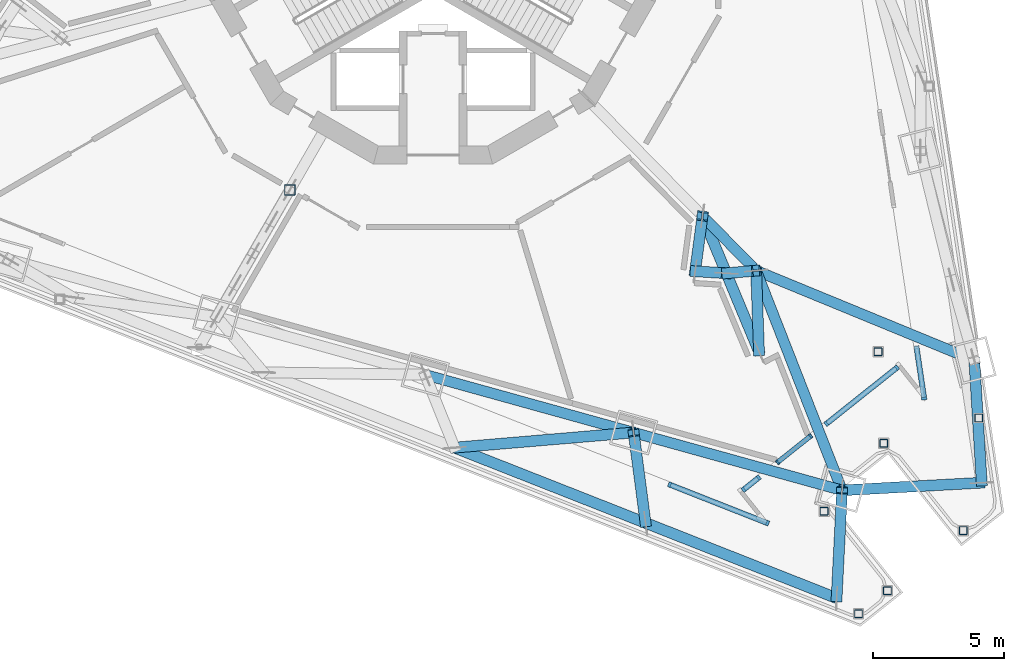
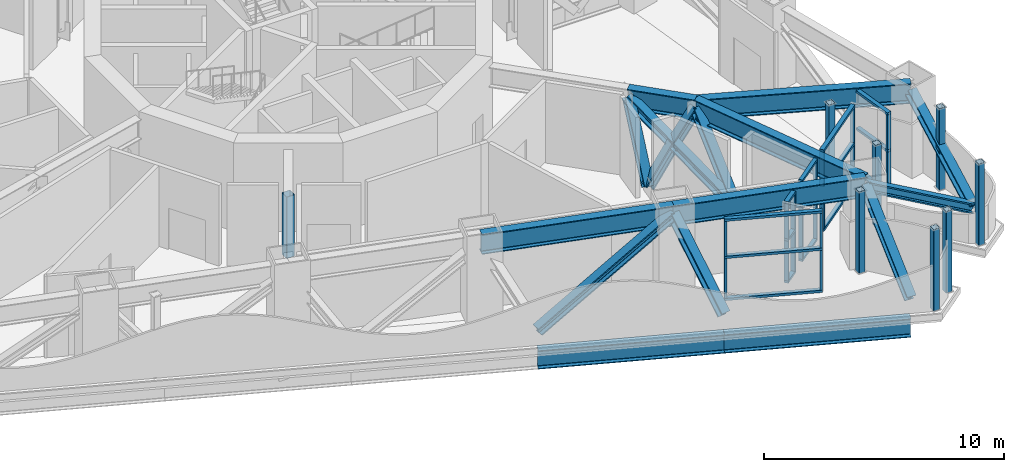
# One storey, part 3 of 27: 52 members, 3 beams, 5 elements without a shape of their own.
"""IFC4 building model written with IfcOpenShell, lengths in metres."""

from ifc_helpers import new_model, si_unit, direction, frame, origin, origin_2d, place, context, subcontext, project, spatial, rectangle, hollow_rectangle, i_section, extrude, material, layer, layer_set, material_profile, profile_set, type_object, element, aggregate, save


model = new_model("IFC4")

# Units and contexts
model_context = context("Model", 3, precision=1e-05, world=origin(), true_north=direction((0.0, 1.0)))
body_context = subcontext(model_context, "Body", "Model", "MODEL_VIEW")
ifc_project = project(units=[si_unit("LENGTHUNIT", "METRE"), si_unit("AREAUNIT", "SQUARE_METRE"), si_unit("VOLUMEUNIT", "CUBIC_METRE"), si_unit("PLANEANGLEUNIT", "RADIAN"), si_unit("MASSUNIT", "GRAM", prefix="KILO")], contexts=[model_context])

# Site, building, storey
site_placement = place(None, origin())
site = spatial("IfcSite", under=ifc_project, at=site_placement, CompositionType="ELEMENT")
building_placement = place(site_placement, origin())
building = spatial("IfcBuilding", under=site, at=building_placement, Name="Trine Commons Tower", CompositionType="ELEMENT")
storey_placement = place(building_placement, frame((0.0, 0.0, 230.39990234375)))
storey = spatial("IfcBuildingStorey", under=building, at=storey_placement, Name="L60", CompositionType="ELEMENT", Elevation=230.39990234375)

# Curtain wall, members
ifc_material_1 = material(Name="Plant louvre wall: anodised aluminium frame with anodised aluminium louvre blades", Category="aluminium")
ifc_layer_1 = layer(ifc_material_1, 0.199951171875)
ifc_layer_set_1 = layer_set([ifc_layer_1], Name="Plant louvre wall: anodised aluminium frame with anodised aluminium louvre blades")
curtain_wall_type_1 = type_object("IfcCurtainWallType", Name="Plant louvre wall curtain wall CW7", PredefinedType="NOTDEFINED", material=ifc_layer_set_1)
curtain_wall_1_placement = place(storey_placement, origin())
curtain_wall_1 = element("IfcCurtainWall", 1, at=curtain_wall_1_placement, inside=storey, type_object=curtain_wall_type_1, Name="Plant louvre wall L60 F2.2", PredefinedType="NOTDEFINED")
ifc_material_2 = material(Name="Anodised aluminium, bronze finish", Category="aluminium")
ifc_material_profile_1 = material_profile(ifc_material_2, rectangle(XDim=0.199951171875, YDim=0.10009765625, at=origin_2d()), Name="Mullion 100x200")
ifc_profile_set_1 = profile_set([ifc_material_profile_1], Name="Anodised aluminium, bronze finish")
member_type_1 = type_object("IfcMemberType", Name="Mullion 100x200, Anodised aluminium, bronze finish", PredefinedType="MULLION", material=ifc_profile_set_1)
member_1_placement = place(storey_placement, frame((98.77783203125, 45.037353515625, 0.1201171875), z_axis=(0.0, 0.0, 1.0), x_axis=(0.989015863362, 0.14780941113, 0.0)))
member_1 = element("IfcMember", 2, at=member_1_placement, type_object=member_type_1, Name="CW7 mullion 2.1", PredefinedType="MULLION", context=body_context, shape_type="SweptSolid", body=[
    extrude(rectangle(XDim=0.199951171875, YDim=0.10009765625, at=origin_2d()), origin(), (0.0, 0.0, 1.0), 2.02001953125),
])
member_2_placement = place(storey_placement, frame((98.77783203125, 45.037353515625, 2.260009765625), z_axis=(0.0, 0.0, 1.0), x_axis=(0.989015863362, 0.14780941113, 0.0)))
member_2 = element("IfcMember", 3, at=member_2_placement, type_object=member_type_1, Name="CW7 mullion 2.2", PredefinedType="MULLION", context=body_context, shape_type="SweptSolid", body=[
    extrude(rectangle(XDim=0.199951171875, YDim=0.10009765625, at=origin_2d()), origin(), (0.0, 0.0, 1.0), 1.77001953125),
])

curtain_wall_2_placement = place(storey_placement, origin())
curtain_wall_2 = element("IfcCurtainWall", 4, at=curtain_wall_2_placement, inside=storey, type_object=curtain_wall_type_1, Name="Plant louvre wall L60 P2.1", PredefinedType="NOTDEFINED")
member_3_placement = place(storey_placement, frame((97.73876953125, 46.223388671875, 0.1201171875), z_axis=(0.0, 0.0, 1.0), x_axis=(0.622514636638, -0.782608156852, 0.0)))
member_3 = element("IfcMember", 5, at=member_3_placement, type_object=member_type_1, Name="CW7 mullion 1.1", PredefinedType="MULLION", context=body_context, shape_type="SweptSolid", body=[
    extrude(rectangle(XDim=0.199951171875, YDim=0.10009765625, at=origin_2d()), origin(), (0.0, 0.0, 1.0), 2.02001953125),
])
member_4_placement = place(storey_placement, frame((97.73876953125, 46.223388671875, 2.260009765625), z_axis=(0.0, 0.0, 1.0), x_axis=(0.622514636638, -0.782608156852, 0.0)))
member_4 = element("IfcMember", 6, at=member_4_placement, type_object=member_type_1, Name="CW7 mullion 1.2", PredefinedType="MULLION", context=body_context, shape_type="SweptSolid", body=[
    extrude(rectangle(XDim=0.199951171875, YDim=0.10009765625, at=origin_2d()), origin(), (0.0, 0.0, 1.0), 1.77001953125),
])
member_5_placement = place(storey_placement, frame((95.035888671875, 44.0732421875, 0.1201171875), z_axis=(0.0, 0.0, 1.0), x_axis=(0.622514636638, -0.782608156852, 0.0)))
member_5 = element("IfcMember", 7, at=member_5_placement, type_object=member_type_1, Name="CW7 mullion 2.1", PredefinedType="MULLION", context=body_context, shape_type="SweptSolid", body=[
    extrude(rectangle(XDim=0.199951171875, YDim=0.10009765625, at=origin_2d()), origin(), (0.0, 0.0, 1.0), 2.02001953125),
])
member_6_placement = place(storey_placement, frame((95.035888671875, 44.0732421875, 2.260009765625), z_axis=(0.0, 0.0, 1.0), x_axis=(0.622514636638, -0.782608156852, 0.0)))
member_6 = element("IfcMember", 8, at=member_6_placement, type_object=member_type_1, Name="CW7 mullion 2.2", PredefinedType="MULLION", context=body_context, shape_type="SweptSolid", body=[
    extrude(rectangle(XDim=0.199951171875, YDim=0.10009765625, at=origin_2d()), origin(), (0.0, 0.0, 1.0), 1.77001953125),
])

curtain_wall_3_placement = place(storey_placement, origin())
curtain_wall_3 = element("IfcCurtainWall", 9, at=curtain_wall_3_placement, inside=storey, type_object=curtain_wall_type_1, Name="Plant louvre wall L60 P2.3", PredefinedType="NOTDEFINED")
member_7_placement = place(storey_placement, frame((92.454345703125, 42.019775390625, 0.1201171875), z_axis=(0.0, 0.0, 1.0), x_axis=(0.622514636638, -0.782608156852, 0.0)))
member_7 = element("IfcMember", 10, at=member_7_placement, type_object=member_type_1, Name="CW7 mullion 1.1", PredefinedType="MULLION", context=body_context, shape_type="SweptSolid", body=[
    extrude(rectangle(XDim=0.199951171875, YDim=0.10009765625, at=origin_2d()), origin(), (0.0, 0.0, 1.0), 2.02001953125),
])
member_8_placement = place(storey_placement, frame((92.454345703125, 42.019775390625, 2.260009765625), z_axis=(0.0, 0.0, 1.0), x_axis=(0.622514636638, -0.782608156852, 0.0)))
member_8 = element("IfcMember", 11, at=member_8_placement, type_object=member_type_1, Name="CW7 mullion 1.2", PredefinedType="MULLION", context=body_context, shape_type="SweptSolid", body=[
    extrude(rectangle(XDim=0.199951171875, YDim=0.10009765625, at=origin_2d()), origin(), (0.0, 0.0, 1.0), 1.77001953125),
])
member_9_placement = place(storey_placement, frame((91.869140625, 41.554443359375, 0.1201171875), z_axis=(0.0, 0.0, 1.0), x_axis=(0.622514636638, -0.782608156852, 0.0)))
member_9 = element("IfcMember", 12, at=member_9_placement, type_object=member_type_1, Name="CW7 mullion 2.1", PredefinedType="MULLION", context=body_context, shape_type="SweptSolid", body=[
    extrude(rectangle(XDim=0.199951171875, YDim=0.10009765625, at=origin_2d()), origin(), (0.0, 0.0, 1.0), 2.02001953125),
])
member_10_placement = place(storey_placement, frame((91.869140625, 41.554443359375, 2.260009765625), z_axis=(0.0, 0.0, 1.0), x_axis=(0.622514636638, -0.782608156852, 0.0)))
member_10 = element("IfcMember", 13, at=member_10_placement, type_object=member_type_1, Name="CW7 mullion 2.2", PredefinedType="MULLION", context=body_context, shape_type="SweptSolid", body=[
    extrude(rectangle(XDim=0.199951171875, YDim=0.10009765625, at=origin_2d()), origin(), (0.0, 0.0, 1.0), 1.77001953125),
])

curtain_wall_4_placement = place(storey_placement, origin())
curtain_wall_4 = element("IfcCurtainWall", 14, at=curtain_wall_4_placement, inside=storey, type_object=curtain_wall_type_1, Name="Plant louvre wall L60 F3.1", PredefinedType="NOTDEFINED")
member_11_placement = place(storey_placement, frame((92.791015625, 40.275146484375, 0.1201171875), z_axis=(0.0, 0.0, 1.0), x_axis=(-0.366501226724, -0.930417567982, 0.0)))
member_11 = element("IfcMember", 15, at=member_11_placement, type_object=member_type_1, Name="CW7 mullion 1.1", PredefinedType="MULLION", context=body_context, shape_type="SweptSolid", body=[
    extrude(rectangle(XDim=0.199951171875, YDim=0.10009765625, at=origin_2d()), origin(), (0.0, 0.0, 1.0), 2.02001953125),
])
member_12_placement = place(storey_placement, frame((92.791015625, 40.275146484375, 2.260009765625), z_axis=(0.0, 0.0, 1.0), x_axis=(-0.366501226724, -0.930417567982, 0.0)))
member_12 = element("IfcMember", 16, at=member_12_placement, type_object=member_type_1, Name="CW7 mullion 1.2", PredefinedType="MULLION", context=body_context, shape_type="SweptSolid", body=[
    extrude(rectangle(XDim=0.199951171875, YDim=0.10009765625, at=origin_2d()), origin(), (0.0, 0.0, 1.0), 1.77001953125),
])
member_13_placement = place(storey_placement, frame((89.044189453125, 41.751220703125, 0.1201171875), z_axis=(0.0, 0.0, 1.0), x_axis=(-0.366501226724, -0.930417567982, 0.0)))
member_13 = element("IfcMember", 17, at=member_13_placement, type_object=member_type_1, Name="CW7 mullion 2.1", PredefinedType="MULLION", context=body_context, shape_type="SweptSolid", body=[
    extrude(rectangle(XDim=0.199951171875, YDim=0.10009765625, at=origin_2d()), origin(), (0.0, 0.0, 1.0), 2.02001953125),
])
member_14_placement = place(storey_placement, frame((89.044189453125, 41.751220703125, 2.260009765625), z_axis=(0.0, 0.0, 1.0), x_axis=(-0.366501226724, -0.930417567982, 0.0)))
member_14 = element("IfcMember", 18, at=member_14_placement, type_object=member_type_1, Name="CW7 mullion 2.2", PredefinedType="MULLION", context=body_context, shape_type="SweptSolid", body=[
    extrude(rectangle(XDim=0.199951171875, YDim=0.10009765625, at=origin_2d()), origin(), (0.0, 0.0, 1.0), 1.77001953125),
])

ifc_material_3 = material(Name="Sky lounge glazing: anodised aluminium frame with low-emissivity double glazed unit, solar control", Category="aluminium")
ifc_layer_2 = layer(ifc_material_3, 0.179931640625)
ifc_layer_set_2 = layer_set([ifc_layer_2], Name="Sky lounge glazing: anodised aluminium frame with low-emissivity double glazed unit, solar control")
curtain_wall_type_2 = type_object("IfcCurtainWallType", Name="Sky lounge glazing curtain wall CW5", PredefinedType="NOTDEFINED", material=ifc_layer_set_2)
curtain_wall_5_placement = place(storey_placement, origin())
curtain_wall_5 = element("IfcCurtainWall", 19, at=curtain_wall_5_placement, inside=storey, type_object=curtain_wall_type_2, Name="Sky lounge glazing L60 P2.2", PredefinedType="NOTDEFINED")
ifc_material_profile_2 = material_profile(ifc_material_2, rectangle(XDim=0.179931640625, YDim=0.074951171875, at=origin_2d()), Name="Mullion 75x180")
ifc_profile_set_2 = profile_set([ifc_material_profile_2], Name="Anodised aluminium, bronze finish")
member_type_2 = type_object("IfcMemberType", Name="Mullion 75x180, Anodised aluminium, bronze finish", PredefinedType="MULLION", material=ifc_profile_set_2)
member_15_placement = place(storey_placement, frame((94.439697265625, 43.61181640625, 0.110107421875), z_axis=(0.0, 0.0, 1.0), x_axis=(0.622514636638, -0.782608156852, 0.0)))
member_15 = element("IfcMember", 20, at=member_15_placement, type_object=member_type_2, Name="CW5 mullion 1.1", PredefinedType="MULLION", context=body_context, shape_type="SweptSolid", body=[
    extrude(rectangle(XDim=0.179931640625, YDim=0.074951171875, at=origin_2d()), origin(), (0.0, 0.0, 1.0), 3.929931640625),
])
member_16_placement = place(storey_placement, frame((93.17236328125, 42.603759765625, 0.110107421875), z_axis=(0.0, 0.0, 1.0), x_axis=(0.622514636638, -0.782608156852, 0.0)))
member_16 = element("IfcMember", 21, at=member_16_placement, type_object=member_type_2, Name="CW5 mullion 2.1", PredefinedType="MULLION", context=body_context, shape_type="SweptSolid", body=[
    extrude(rectangle(XDim=0.179931640625, YDim=0.074951171875, at=origin_2d()), origin(), (0.0, 0.0, 1.0), 3.929931640625),
])

# Beams
ifc_material_4 = material(Name="Structural steel ASTM A992 Gr50", Category="steel")
ifc_material_profile_3 = material_profile(ifc_material_4, i_section(OverallWidth=0.4033203125, OverallDepth=1.0126953125, WebThickness=0.023681640625, FlangeThickness=0.0419921875, FilletRadius=0.030029296875, at=origin_2d()), Name="W40X297")
ifc_profile_set_3 = profile_set([ifc_material_profile_3], Name="Structural steel ASTM A992 Gr50")
beam_type = type_object("IfcBeamType", Name="Steel beam W40X297, ASTM A992 Gr50", PredefinedType="BEAM", material=ifc_profile_set_3)
beam_1_placement = place(storey_placement, frame((100.693115234375, 46.499755859375, 3.643798828125), z_axis=(-0.924846769515, 0.380339917596, 0.0), x_axis=(-0.380339917596, -0.924846769515, 0.0)))
element("IfcBeam", 22, at=beam_1_placement, inside=storey, type_object=beam_type, Name="Transfer truss girder T6-UV-05", PredefinedType="BEAM", context=body_context, shape_type="SweptSolid", body=[
    extrude(i_section(OverallWidth=0.4033203125, OverallDepth=1.0126953125, WebThickness=0.023681640625, FlangeThickness=0.0419921875, FilletRadius=0.030029296875, at=origin_2d()), origin(), (0.0, 0.0, 1.0), 9.01806640625),
])
beam_2_placement = place(storey_placement, frame((95.63671875, 41.531005859375, 3.643798828125), z_axis=(-0.364158431395, 0.931337015717, 0.0), x_axis=(-0.931337015717, -0.364158431395, 0.0)))
element("IfcBeam", 23, at=beam_2_placement, inside=storey, type_object=beam_type, Name="Transfer truss girder T6-UV-06", PredefinedType="BEAM", context=body_context, shape_type="SweptSolid", body=[
    extrude(i_section(OverallWidth=0.4033203125, OverallDepth=1.0126953125, WebThickness=0.023681640625, FlangeThickness=0.0419921875, FilletRadius=0.030029296875, at=origin_2d()), origin(), (0.0, 0.0, 1.0), 9.017822265625),
])
beam_3_placement = place(storey_placement, frame((90.301513671875, 52.01708984375, 3.643798828125), z_axis=(0.700906650089, -0.713253018122, 0.0), x_axis=(0.713253018122, 0.700906650089, 0.0)))
element("IfcBeam", 24, at=beam_3_placement, inside=storey, type_object=beam_type, Name="Transfer truss girder T6-UR-02", PredefinedType="BEAM", context=body_context, shape_type="SweptSolid", body=[
    extrude(i_section(OverallWidth=0.4033203125, OverallDepth=1.0126953125, WebThickness=0.023681640625, FlangeThickness=0.0419921875, FilletRadius=0.030029296875, at=origin_2d()), origin(), (0.0, 0.0, 1.0), 2.926513671875),
])

# Members
ifc_material_profile_4 = material_profile(ifc_material_4, i_section(OverallWidth=0.416015625, OverallDepth=0.444580078125, WebThickness=0.0390625, FlangeThickness=0.062744140625, FilletRadius=0.015380859375, at=origin_2d()), Name="W14X342")
ifc_profile_set_4 = profile_set([ifc_material_profile_4], Name="Structural steel ASTM A992 Gr50")
member_type_3 = type_object("IfcMemberType", Name="Steel brace W14X342, ASTM A992 Gr50", PredefinedType="BRACE", material=ifc_profile_set_4)
member_17_placement = place(storey_placement, frame((95.429443359375, 37.40869140625, 0.468505859375), z_axis=(0.039802605987, 0.791598353463, 0.60974404413), x_axis=(-0.998738286597, 0.050217874168, 0.0)))
element("IfcMember", 25, at=member_17_placement, inside=storey, type_object=member_type_3, Name="Belt truss brace T6-DG-01", PredefinedType="BRACE", context=body_context, shape_type="SweptSolid", body=[
    extrude(i_section(OverallWidth=0.416015625, OverallDepth=0.444580078125, WebThickness=0.0390625, FlangeThickness=0.062744140625, FilletRadius=0.015380859375, at=origin_2d()), origin(), (0.0, 0.0, 1.0), 5.20751953125),
])
member_18_placement = place(storey_placement, frame((100.977294921875, 41.82177734375, 0.468505859375), z_axis=(-0.858609234348, -0.046747593056, 0.510494706374), x_axis=(0.054365195565, -0.998521119211, 0.0)))
element("IfcMember", 26, at=member_18_placement, inside=storey, type_object=member_type_3, Name="Belt truss brace T6-DG-02", PredefinedType="BRACE", context=body_context, shape_type="SweptSolid", body=[
    extrude(i_section(OverallWidth=0.416015625, OverallDepth=0.444580078125, WebThickness=0.0390625, FlangeThickness=0.062744140625, FilletRadius=0.015380859375, at=origin_2d()), origin(), (0.0, 0.0, 1.0), 6.219970703125),
])
member_19_placement = place(storey_placement, frame((88.125, 40.285888671875, 0.468505859375), z_axis=(-0.096786126869, 0.732809246296, 0.673515444655), x_axis=(-0.99139051007, -0.130938369255, 0.0)))
element("IfcMember", 27, at=member_19_placement, inside=storey, type_object=member_type_3, Name="Belt truss brace T6-DG-03", PredefinedType="BRACE", context=body_context, shape_type="SweptSolid", body=[
    extrude(i_section(OverallWidth=0.416015625, OverallDepth=0.444580078125, WebThickness=0.0390625, FlangeThickness=0.062744140625, FilletRadius=0.015380859375, at=origin_2d()), origin(), (0.0, 0.0, 1.0), 4.714599609375),
])
member_20_placement = place(storey_placement, frame((80.82080078125, 43.1630859375, 0.468505859375), z_axis=(0.904570977067, 0.076302717806, 0.419439200247), x_axis=(-0.084053878066, 0.996461211278, 0.0)))
element("IfcMember", 28, at=member_20_placement, inside=storey, type_object=member_type_3, Name="Belt truss brace T6-DG-04", PredefinedType="BRACE", context=body_context, shape_type="SweptSolid", body=[
    extrude(i_section(OverallWidth=0.416015625, OverallDepth=0.444580078125, WebThickness=0.0390625, FlangeThickness=0.062744140625, FilletRadius=0.015380859375, at=origin_2d()), origin(), (0.0, 0.0, 1.0), 7.5703125),
])
member_21_placement = place(storey_placement, frame((100.977294921875, 41.82177734375, 0.468505859375), z_axis=(-0.050199708491, 0.826354479726, 0.560908426665), x_axis=(-0.998159907641, -0.06063661252, 0.0)))
element("IfcMember", 29, at=member_21_placement, inside=storey, type_object=member_type_3, Name="Belt truss brace T6-DG-36", PredefinedType="BRACE", context=body_context, shape_type="SweptSolid", body=[
    extrude(i_section(OverallWidth=0.416015625, OverallDepth=0.444580078125, WebThickness=0.0390625, FlangeThickness=0.062744140625, FilletRadius=0.015380859375, at=origin_2d()), origin(), (0.0, 0.0, 1.0), 5.660888671875),
])
member_22_placement = place(storey_placement, frame((90.018798828125, 49.90478515625, 0.468505859375), z_axis=(0.073928500257, 0.552356981193, 0.830323034835), x_axis=(-0.991161743132, 0.132658957299, 0.0)))
element("IfcMember", 30, at=member_22_placement, inside=storey, type_object=member_type_3, Name="Belt truss brace T6-DG-37", PredefinedType="BRACE", context=body_context, shape_type="SweptSolid", body=[
    extrude(i_section(OverallWidth=0.416015625, OverallDepth=0.444580078125, WebThickness=0.0390625, FlangeThickness=0.062744140625, FilletRadius=0.015380859375, at=origin_2d()), origin(), (0.0, 0.0, 1.0), 3.82421875),
])
member_23_placement = place(storey_placement, frame((92.461669921875, 46.83349609375, 0.468505859375), z_axis=(-0.334843946468, 0.803504370638, 0.492199408653), x_axis=(-0.923056341982, -0.384664775521, 0.0)))
element("IfcMember", 31, at=member_23_placement, inside=storey, type_object=member_type_3, Name="Belt truss brace T6-DG-38", PredefinedType="BRACE", context=body_context, shape_type="SweptSolid", body=[
    extrude(i_section(OverallWidth=0.416015625, OverallDepth=0.444580078125, WebThickness=0.0390625, FlangeThickness=0.062744140625, FilletRadius=0.015380859375, at=origin_2d()), origin(), (0.0, 0.0, 1.0), 6.451171875),
])
member_24_placement = place(storey_placement, frame((90.018798828125, 49.90478515625, 0.468505859375), z_axis=(0.544834337743, -0.033759673688, 0.837863848635), x_axis=(0.061844579742, 0.998085791882, 0.0)))
element("IfcMember", 32, at=member_24_placement, inside=storey, type_object=member_type_3, Name="Belt truss brace T6-DG-39a", PredefinedType="BRACE", context=body_context, shape_type="SweptSolid", body=[
    extrude(i_section(OverallWidth=0.416015625, OverallDepth=0.444580078125, WebThickness=0.0390625, FlangeThickness=0.062744140625, FilletRadius=0.015380859375, at=origin_2d()), origin(), (0.0, 0.0, 1.0), 2.191162109375),
])
member_25_placement = place(storey_placement, frame((91.212646484375, 49.830810546875, 2.304443359375), z_axis=(0.647182488276, 0.056126104444, 0.760266195006), x_axis=(-0.086399471621, 0.996260573998, 0.0)))
element("IfcMember", 33, at=member_25_placement, inside=storey, type_object=member_type_3, Name="Belt truss brace T6-DG-39b", PredefinedType="BRACE", context=body_context, shape_type="SweptSolid", body=[
    extrude(i_section(OverallWidth=0.416015625, OverallDepth=0.444580078125, WebThickness=0.0390625, FlangeThickness=0.062744140625, FilletRadius=0.015380859375, at=origin_2d()), origin(), (0.0, 0.0, 1.0), 1.76171875),
])
member_26_placement = place(storey_placement, frame((92.461669921875, 46.83349609375, 0.468505859375), z_axis=(-0.024544498669, 0.697922269328, 0.715752801993), x_axis=(-0.999382180509, -0.035146227133, 0.0)))
element("IfcMember", 34, at=member_26_placement, inside=storey, type_object=member_type_3, Name="Belt truss brace T6-DG-40", PredefinedType="BRACE", context=body_context, shape_type="SweptSolid", body=[
    extrude(i_section(OverallWidth=0.416015625, OverallDepth=0.444580078125, WebThickness=0.0390625, FlangeThickness=0.062744140625, FilletRadius=0.015380859375, at=origin_2d()), origin(), (0.0, 0.0, 1.0), 4.436279296875),
])
ifc_material_profile_5 = material_profile(ifc_material_4, i_section(OverallWidth=0.419189453125, OverallDepth=0.9365234375, WebThickness=0.021240234375, FlangeThickness=0.03662109375, FilletRadius=0.024169921875, at=origin_2d()), Name="W36X262")
ifc_profile_set_5 = profile_set([ifc_material_profile_5], Name="Structural steel ASTM A992 Gr50")
member_type_4 = type_object("IfcMemberType", Name="Steel chord W36X262, ASTM A992 Gr50", PredefinedType="CHORD", material=ifc_profile_set_5)
member_27_placement = place(storey_placement, frame((95.429443359375, 37.40869140625, -0.918212890625), z_axis=(-0.930421889422, 0.366490255919, 0.0), x_axis=(-0.366490255919, -0.930421889422, 0.0)))
element("IfcMember", 35, at=member_27_placement, inside=storey, type_object=member_type_4, Name="Belt truss chord T6-LC-01", PredefinedType="CHORD", context=body_context, shape_type="SweptSolid", body=[
    extrude(i_section(OverallWidth=0.419189453125, OverallDepth=0.9365234375, WebThickness=0.021240234375, FlangeThickness=0.03662109375, FilletRadius=0.024169921875, at=origin_2d()), origin(), (0.0, 0.0, 1.0), 7.8505859375),
])
member_28_placement = place(storey_placement, frame((88.125, 40.285888671875, -0.918212890625), z_axis=(-0.930417712306, 0.366500860336, 0.0), x_axis=(-0.366500860336, -0.930417712306, 0.0)))
element("IfcMember", 36, at=member_28_placement, inside=storey, type_object=member_type_4, Name="Belt truss chord T6-LC-02", PredefinedType="CHORD", context=body_context, shape_type="SweptSolid", body=[
    extrude(i_section(OverallWidth=0.419189453125, OverallDepth=0.9365234375, WebThickness=0.021240234375, FlangeThickness=0.03662109375, FilletRadius=0.024169921875, at=origin_2d()), origin(), (0.0, 0.0, 1.0), 7.850341796875),
])
ifc_material_profile_6 = material_profile(ifc_material_4, i_section(OverallWidth=0.4033203125, OverallDepth=1.0126953125, WebThickness=0.023681640625, FlangeThickness=0.0419921875, FilletRadius=0.030029296875, at=origin_2d()), Name="W40X297")
ifc_profile_set_6 = profile_set([ifc_material_profile_6], Name="Structural steel ASTM A992 Gr50")
member_type_5 = type_object("IfcMemberType", Name="Steel chord W40X297, ASTM A992 Gr50", PredefinedType="CHORD", material=ifc_profile_set_6)
for number, where, z_axis, x_axis, name in (
    (37, (95.63671875, 41.531005859375, 3.643798828125), (-0.963630766047, 0.267237248016, 0.0), (-0.267237248016, -0.963630766047, 0.0), "Belt truss chord T6-UC-01"),
    (38, (87.668701171875, 43.74072265625, 3.643798828125), (-0.963630766047, 0.267237248016, 0.0), (-0.267237248016, -0.963630766047, 0.0), "Belt truss chord T6-UC-02"),
):
    element("IfcMember", number, at=place(storey_placement, frame(where, z_axis=z_axis, x_axis=x_axis)), inside=storey, type_object=member_type_5, Name=name, PredefinedType="CHORD", context=body_context, shape_type="SweptSolid", body=[
        extrude(i_section(OverallWidth=0.4033203125, OverallDepth=1.0126953125, WebThickness=0.023681640625, FlangeThickness=0.0419921875, FilletRadius=0.030029296875, at=origin_2d()), origin(), (0.0, 0.0, 1.0), 8.268798828125),
    ])
ifc_material_5 = material(Name="Structural steel ASTM A500 Gr C", Category="steel")
ifc_material_profile_7 = material_profile(ifc_material_5, hollow_rectangle(XDim=0.3046875, YDim=0.3046875, WallThickness=0.014892578125, InnerFilletRadius=0.00732421875, OuterFilletRadius=0.022216796875, at=origin_2d()), Name="HSS12X12X5/8")
ifc_profile_set_7 = profile_set([ifc_material_profile_7], Name="Structural steel ASTM A500 Gr C")
member_type_6 = type_object("IfcMemberType", Name="Steel post HSS12X12X5/8, ASTM A500 Gr C", PredefinedType="POST", material=ifc_profile_set_7)
for number, where, z_axis, x_axis, name in (
    (39, (97.371337890625, 37.689453125, 0.0), (0.0, 0.0, 1.0), (1.0, 0.0, 0.0), "Roof post SP6-31"),
    (40, (96.266357421875, 36.810302734375, 0.0), (0.0, 0.0, 1.0), (1.0, 0.0, 0.0), "Roof post SP6-32"),
    (41, (94.947998046875, 40.736083984375, 0.0), (0.0, 0.0, 1.0), (1.0, 0.0, 0.0), "Roof post SP6-34"),
    (42, (100.26708984375, 39.99267578125, 0.0), (0.0, 0.0, 1.0), (1.0, 0.0, 0.0), "Roof post SP6-61"),
    (43, (97.014892578125, 46.826171875, 0.0), (0.0, 0.0, 1.0), (1.0, 0.0, 0.0), "Roof post SP6-62"),
    (44, (100.8603515625, 44.2958984375, 0.0), (0.0, 0.0, 1.0), (1.0, 0.0, 0.0), "Roof post SP6-63"),
    (45, (97.2294921875, 43.326416015625, 0.0), (0.0, 0.0, 1.0), (1.0, 0.0, 0.0), "Roof post SP6-64"),
):
    element("IfcMember", number, at=place(storey_placement, frame(where, z_axis=z_axis, x_axis=x_axis)), inside=storey, type_object=member_type_6, Name=name, PredefinedType="POST", context=body_context, shape_type="SweptSolid", body=[
        extrude(hollow_rectangle(XDim=0.3046875, YDim=0.3046875, WallThickness=0.014892578125, InnerFilletRadius=0.00732421875, OuterFilletRadius=0.022216796875, at=origin_2d()), origin(), (0.0, 0.0, 1.0), 4.150146484375),
    ])
ifc_material_profile_8 = material_profile(ifc_material_5, hollow_rectangle(XDim=0.406494140625, YDim=0.406494140625, WallThickness=0.017578125, InnerFilletRadius=0.0087890625, OuterFilletRadius=0.026611328125, at=origin_2d()), Name="HSS16X16X3/4")
ifc_profile_set_8 = profile_set([ifc_material_profile_8], Name="Structural steel ASTM A500 Gr C")
member_type_7 = type_object("IfcMemberType", Name="Steel post HSS16X16X3/4, ASTM A500 Gr C", PredefinedType="POST", material=ifc_profile_set_8)
member_29_placement = place(storey_placement, frame((74.52490234375, 53.01708984375, 0.514404296875), z_axis=(0.0, 0.0, 1.0), x_axis=(1.0, 0.0, 0.0)))
element("IfcMember", 46, at=member_29_placement, inside=storey, type_object=member_type_7, Name="Outrigger truss post T6-OP-02", PredefinedType="POST", context=body_context, shape_type="SweptSolid", body=[
    extrude(hollow_rectangle(XDim=0.406494140625, YDim=0.406494140625, WallThickness=0.017578125, InnerFilletRadius=0.0087890625, OuterFilletRadius=0.026611328125, at=origin_2d()), origin(), (0.0, 0.0, 1.0), 3.121337890625),
])

# Member
ifc_material_profile_9 = material_profile(ifc_material_2, rectangle(XDim=0.179931640625, YDim=0.110107421875, at=origin_2d()), Name="Transom 110x180")
ifc_profile_set_9 = profile_set([ifc_material_profile_9], Name="Anodised aluminium, bronze finish")
member_type_8 = type_object("IfcMemberType", Name="Transom 110x180, Anodised aluminium, bronze finish", PredefinedType="USERDEFINED", material=ifc_profile_set_9)
member_30_placement = place(storey_placement, frame((94.468994140625, 43.63525390625, 0.05517578125), z_axis=(-0.782594673253, -0.622531587468, 0.0), x_axis=(0.622531587468, -0.782594673253, 0.0)))
member_30 = element("IfcMember", 47, at=member_30_placement, type_object=member_type_8, Name="CW5 transom T00", ObjectType="TRANSOM", PredefinedType="USERDEFINED", context=body_context, shape_type="SweptSolid", body=[
    extrude(rectangle(XDim=0.179931640625, YDim=0.110107421875, at=origin_2d()), origin(), (0.0, 0.0, 1.0), 1.694580078125),
])

member_31_placement = place(storey_placement, frame((94.468994140625, 43.63525390625, 4.09521484375), z_axis=(-0.782594673253, -0.622531587468, 0.0), x_axis=(0.622531587468, -0.782594673253, 0.0)))
member_31 = element("IfcMember", 48, at=member_31_placement, type_object=member_type_8, Name="CW5 transom TH00", ObjectType="TRANSOM", PredefinedType="USERDEFINED", context=body_context, shape_type="SweptSolid", body=[
    extrude(rectangle(XDim=0.179931640625, YDim=0.110107421875, at=origin_2d()), origin(), (0.0, 0.0, 1.0), 1.694580078125),
])

aggregate(curtain_wall_5, [member_30, member_31, member_15, member_16])

ifc_material_profile_10 = material_profile(ifc_material_2, rectangle(XDim=0.199951171875, YDim=0.1201171875, at=origin_2d()), Name="Transom 120x200")
ifc_profile_set_10 = profile_set([ifc_material_profile_10], Name="Anodised aluminium, bronze finish")
member_type_9 = type_object("IfcMemberType", Name="Transom 120x200, Anodised aluminium, bronze finish", PredefinedType="USERDEFINED", material=ifc_profile_set_10)
member_32_placement = place(storey_placement, frame((98.47705078125, 47.049560546875, 0.06005859375), z_axis=(0.147813506297, -0.989015251326, 0.0), x_axis=(0.989015251326, 0.147813506297, 0.0)))
member_32 = element("IfcMember", 49, at=member_32_placement, type_object=member_type_9, Name="CW7 transom T00", ObjectType="TRANSOM", PredefinedType="USERDEFINED", context=body_context, shape_type="SweptSolid", body=[
    extrude(rectangle(XDim=0.199951171875, YDim=0.1201171875, at=origin_2d()), origin(), (0.0, 0.0, 1.0), 2.08447265625),
])

member_33_placement = place(storey_placement, frame((98.47705078125, 47.049560546875, 2.2001953125), z_axis=(0.147813506297, -0.989015251326, 0.0), x_axis=(0.989015251326, 0.147813506297, 0.0)))
member_33 = element("IfcMember", 50, at=member_33_placement, type_object=member_type_9, Name="CW7 transom T01", ObjectType="TRANSOM", PredefinedType="USERDEFINED", context=body_context, shape_type="SweptSolid", body=[
    extrude(rectangle(XDim=0.199951171875, YDim=0.1201171875, at=origin_2d()), origin(), (0.0, 0.0, 1.0), 2.08447265625),
])

member_34_placement = place(storey_placement, frame((98.47705078125, 47.049560546875, 4.090087890625), z_axis=(0.147813506297, -0.989015251326, 0.0), x_axis=(0.989015251326, 0.147813506297, 0.0)))
member_34 = element("IfcMember", 51, at=member_34_placement, type_object=member_type_9, Name="CW7 transom TH00", ObjectType="TRANSOM", PredefinedType="USERDEFINED", context=body_context, shape_type="SweptSolid", body=[
    extrude(rectangle(XDim=0.199951171875, YDim=0.1201171875, at=origin_2d()), origin(), (0.0, 0.0, 1.0), 2.08447265625),
])

aggregate(curtain_wall_1, [member_32, member_33, member_34, member_1, member_2])

member_35_placement = place(storey_placement, frame((97.77783203125, 46.25439453125, 0.06005859375), z_axis=(-0.782628437722, -0.622489139238, 0.0), x_axis=(0.622489139238, -0.782628437722, 0.0)))
member_35 = element("IfcMember", 52, at=member_35_placement, type_object=member_type_9, Name="CW7 transom T00", ObjectType="TRANSOM", PredefinedType="USERDEFINED", context=body_context, shape_type="SweptSolid", body=[
    extrude(rectangle(XDim=0.199951171875, YDim=0.1201171875, at=origin_2d()), origin(), (0.0, 0.0, 1.0), 3.5537109375),
])

member_36_placement = place(storey_placement, frame((97.77783203125, 46.25439453125, 2.2001953125), z_axis=(-0.782628437722, -0.622489139238, 0.0), x_axis=(0.622489139238, -0.782628437722, 0.0)))
member_36 = element("IfcMember", 53, at=member_36_placement, type_object=member_type_9, Name="CW7 transom T01", ObjectType="TRANSOM", PredefinedType="USERDEFINED", context=body_context, shape_type="SweptSolid", body=[
    extrude(rectangle(XDim=0.199951171875, YDim=0.1201171875, at=origin_2d()), origin(), (0.0, 0.0, 1.0), 3.5537109375),
])

member_37_placement = place(storey_placement, frame((97.77783203125, 46.25439453125, 4.090087890625), z_axis=(-0.782628437722, -0.622489139238, 0.0), x_axis=(0.622489139238, -0.782628437722, 0.0)))
member_37 = element("IfcMember", 54, at=member_37_placement, type_object=member_type_9, Name="CW7 transom TH00", ObjectType="TRANSOM", PredefinedType="USERDEFINED", context=body_context, shape_type="SweptSolid", body=[
    extrude(rectangle(XDim=0.199951171875, YDim=0.1201171875, at=origin_2d()), origin(), (0.0, 0.0, 1.0), 3.5537109375),
])

aggregate(curtain_wall_2, [member_35, member_36, member_37, member_3, member_4, member_5, member_6])

member_38_placement = place(storey_placement, frame((92.493408203125, 42.051025390625, 0.06005859375), z_axis=(-0.782495810498, -0.622655849208, 0.0), x_axis=(0.622655849208, -0.782495810498, 0.0)))
member_38 = element("IfcMember", 55, at=member_38_placement, type_object=member_type_9, Name="CW7 transom T00", ObjectType="TRANSOM", PredefinedType="USERDEFINED", context=body_context, shape_type="SweptSolid", body=[
    extrude(rectangle(XDim=0.199951171875, YDim=0.1201171875, at=origin_2d()), origin(), (0.0, 0.0, 1.0), 0.84765625),
])

member_39_placement = place(storey_placement, frame((92.493408203125, 42.051025390625, 2.2001953125), z_axis=(-0.782495810498, -0.622655849208, 0.0), x_axis=(0.622655849208, -0.782495810498, 0.0)))
member_39 = element("IfcMember", 56, at=member_39_placement, type_object=member_type_9, Name="CW7 transom T01", ObjectType="TRANSOM", PredefinedType="USERDEFINED", context=body_context, shape_type="SweptSolid", body=[
    extrude(rectangle(XDim=0.199951171875, YDim=0.1201171875, at=origin_2d()), origin(), (0.0, 0.0, 1.0), 0.84765625),
])

member_40_placement = place(storey_placement, frame((92.493408203125, 42.051025390625, 4.090087890625), z_axis=(-0.782495810498, -0.622655849208, 0.0), x_axis=(0.622655849208, -0.782495810498, 0.0)))
member_40 = element("IfcMember", 57, at=member_40_placement, type_object=member_type_9, Name="CW7 transom TH00", ObjectType="TRANSOM", PredefinedType="USERDEFINED", context=body_context, shape_type="SweptSolid", body=[
    extrude(rectangle(XDim=0.199951171875, YDim=0.1201171875, at=origin_2d()), origin(), (0.0, 0.0, 1.0), 0.84765625),
])

aggregate(curtain_wall_3, [member_38, member_39, member_40, member_7, member_8, member_9, member_10])

member_41_placement = place(storey_placement, frame((92.83740234375, 40.2568359375, 0.06005859375), z_axis=(-0.930426120111, 0.366479515138, 0.0), x_axis=(-0.366479515138, -0.930426120111, 0.0)))
member_41 = element("IfcMember", 58, at=member_41_placement, type_object=member_type_9, Name="CW7 transom T00", ObjectType="TRANSOM", PredefinedType="USERDEFINED", context=body_context, shape_type="SweptSolid", body=[
    extrude(rectangle(XDim=0.199951171875, YDim=0.1201171875, at=origin_2d()), origin(), (0.0, 0.0, 1.0), 4.126953125),
])

member_42_placement = place(storey_placement, frame((92.83740234375, 40.2568359375, 2.2001953125), z_axis=(-0.930426120111, 0.366479515138, 0.0), x_axis=(-0.366479515138, -0.930426120111, 0.0)))
member_42 = element("IfcMember", 59, at=member_42_placement, type_object=member_type_9, Name="CW7 transom T01", ObjectType="TRANSOM", PredefinedType="USERDEFINED", context=body_context, shape_type="SweptSolid", body=[
    extrude(rectangle(XDim=0.199951171875, YDim=0.1201171875, at=origin_2d()), origin(), (0.0, 0.0, 1.0), 4.126953125),
])

member_43_placement = place(storey_placement, frame((92.83740234375, 40.2568359375, 4.090087890625), z_axis=(-0.930426120111, 0.366479515138, 0.0), x_axis=(-0.366479515138, -0.930426120111, 0.0)))
member_43 = element("IfcMember", 60, at=member_43_placement, type_object=member_type_9, Name="CW7 transom TH00", ObjectType="TRANSOM", PredefinedType="USERDEFINED", context=body_context, shape_type="SweptSolid", body=[
    extrude(rectangle(XDim=0.199951171875, YDim=0.1201171875, at=origin_2d()), origin(), (0.0, 0.0, 1.0), 4.126953125),
])

aggregate(curtain_wall_4, [member_41, member_42, member_43, member_11, member_12, member_13, member_14])

save(model, "model.ifc")
